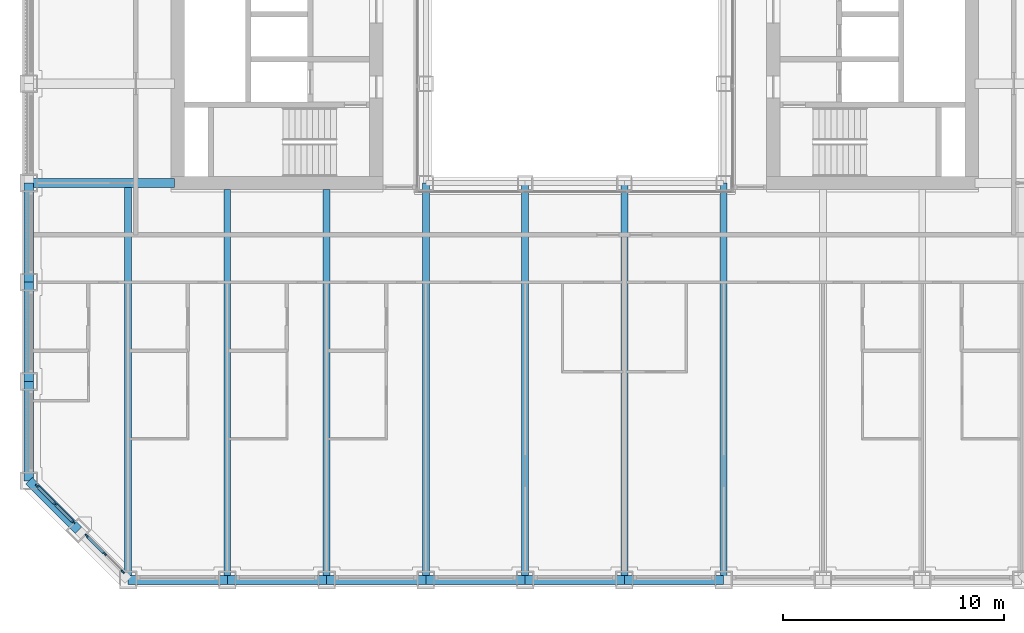
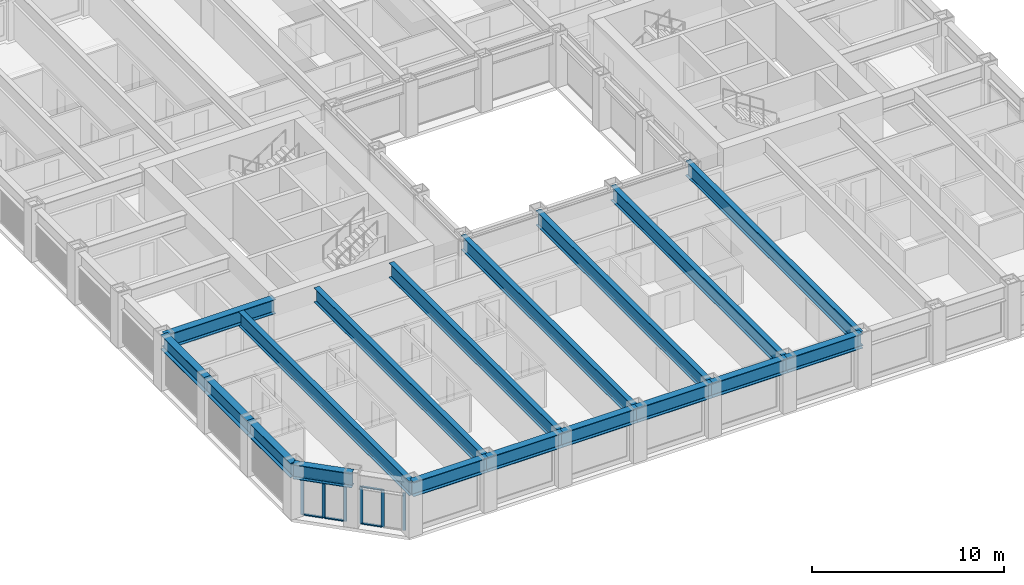
# One storey, part 2 of 21: 18 beams, 12 members, 2 elements without a shape of their own.
"""IFC4 building model written with IfcOpenShell, lengths in metres."""

from ifc_helpers import new_model, si_unit, direction, frame, origin, origin_2d, place, context, subcontext, project, spatial, rectangle, i_section, extrude, material, material_profile, profile_set, type_object, element, aggregate, save


model = new_model("IFC4")

# Units and contexts
model_context = context("Model", 3, precision=1e-05, world=origin(), true_north=direction((0.0, 1.0)))
body_context = subcontext(model_context, "Body", "Model", "MODEL_VIEW")
ifc_project = project(units=[si_unit("LENGTHUNIT", "METRE"), si_unit("AREAUNIT", "SQUARE_METRE"), si_unit("VOLUMEUNIT", "CUBIC_METRE"), si_unit("PLANEANGLEUNIT", "RADIAN"), si_unit("MASSUNIT", "GRAM", prefix="KILO")], contexts=[model_context])

# Site, building, storey
site_placement = place(None, origin())
site = spatial("IfcSite", under=ifc_project, at=site_placement, CompositionType="ELEMENT")
building_placement = place(site_placement, origin())
building = spatial("IfcBuilding", under=site, at=building_placement, Name="Msasa Ring Tower", CompositionType="ELEMENT")
storey_placement = place(building_placement, frame((0.0, 0.0, 79.0)))
storey = spatial("IfcBuildingStorey", under=building, at=storey_placement, Name="L20", CompositionType="ELEMENT", Elevation=79.0)

# Curtain wall, members
ifc_material_1 = material(Name="Aluminium curtain wall with clear glass", Category="aluminium")
curtain_wall_type = type_object("IfcCurtainWallType", Name="CW-C CHAMFER CORNER CURTAIN WALL", PredefinedType="NOTDEFINED", material=ifc_material_1)
curtain_wall_1_placement = place(storey_placement, origin())
curtain_wall_1 = element("IfcCurtainWall", 1, at=curtain_wall_1_placement, inside=storey, type_object=curtain_wall_type, Name="Chamfer corner curtain wall SW L20", PredefinedType="NOTDEFINED")
ifc_material_2 = material(Name="Aluminium mullion", Category="aluminium")
ifc_material_profile_1 = material_profile(ifc_material_2, rectangle(XDim=0.06494140625, YDim=0.179931640625, at=origin_2d()), Name="AL 65x180")
ifc_profile_set_1 = profile_set([ifc_material_profile_1], Name="Aluminium mullion")
member_type_1 = type_object("IfcMemberType", Name="CW-C MULLION 65x180", PredefinedType="MULLION", material=ifc_profile_set_1)
member_1_placement = place(storey_placement, frame((-24.369873046875, -20.48876953125, 0.0), z_axis=(0.0, 0.0, 1.0), x_axis=(0.707106781187, 0.707106781187, 0.0)))
member_1 = element("IfcMember", 2, at=member_1_placement, type_object=member_type_1, Name="CW-C mullion 1", PredefinedType="MULLION", context=body_context, shape_type="SweptSolid", body=[
    extrude(rectangle(XDim=0.06494140625, YDim=0.179931640625, at=origin_2d()), origin(), (0.0, 0.0, 1.0), 2.37890625),
])
member_2_placement = place(storey_placement, frame((-23.55419921875, -21.30419921875, 0.0), z_axis=(0.0, 0.0, 1.0), x_axis=(0.707106781187, 0.707106781187, 0.0)))
member_2 = element("IfcMember", 3, at=member_2_placement, type_object=member_type_1, Name="CW-C mullion 2", PredefinedType="MULLION", context=body_context, shape_type="SweptSolid", body=[
    extrude(rectangle(XDim=0.06494140625, YDim=0.179931640625, at=origin_2d()), origin(), (0.0, 0.0, 1.0), 2.37890625),
])
member_3_placement = place(storey_placement, frame((-22.73876953125, -22.119873046875, 0.0), z_axis=(0.0, 0.0, 1.0), x_axis=(0.707106781187, 0.707106781187, 0.0)))
member_3 = element("IfcMember", 4, at=member_3_placement, type_object=member_type_1, Name="CW-C mullion 3", PredefinedType="MULLION", context=body_context, shape_type="SweptSolid", body=[
    extrude(rectangle(XDim=0.06494140625, YDim=0.179931640625, at=origin_2d()), origin(), (0.0, 0.0, 1.0), 2.37890625),
])

curtain_wall_2_placement = place(storey_placement, origin())
curtain_wall_2 = element("IfcCurtainWall", 5, at=curtain_wall_2_placement, inside=storey, type_object=curtain_wall_type, Name="Chamfer corner curtain wall SW L20", PredefinedType="NOTDEFINED")
member_4_placement = place(storey_placement, frame((-22.119873046875, -22.73876953125, 0.0), z_axis=(0.0, 0.0, 1.0), x_axis=(0.707106781187, 0.707106781187, 0.0)))
member_4 = element("IfcMember", 6, at=member_4_placement, type_object=member_type_1, Name="CW-C mullion 1", PredefinedType="MULLION", context=body_context, shape_type="SweptSolid", body=[
    extrude(rectangle(XDim=0.06494140625, YDim=0.179931640625, at=origin_2d()), origin(), (0.0, 0.0, 1.0), 2.37890625),
])
member_5_placement = place(storey_placement, frame((-21.30419921875, -23.55419921875, 0.0), z_axis=(0.0, 0.0, 1.0), x_axis=(0.707106781187, 0.707106781187, 0.0)))
member_5 = element("IfcMember", 7, at=member_5_placement, type_object=member_type_1, Name="CW-C mullion 2", PredefinedType="MULLION", context=body_context, shape_type="SweptSolid", body=[
    extrude(rectangle(XDim=0.06494140625, YDim=0.179931640625, at=origin_2d()), origin(), (0.0, 0.0, 1.0), 2.37890625),
])
member_6_placement = place(storey_placement, frame((-20.48876953125, -24.369873046875, 0.0), z_axis=(0.0, 0.0, 1.0), x_axis=(0.707106781187, 0.707106781187, 0.0)))
member_6 = element("IfcMember", 8, at=member_6_placement, type_object=member_type_1, Name="CW-C mullion 3", PredefinedType="MULLION", context=body_context, shape_type="SweptSolid", body=[
    extrude(rectangle(XDim=0.06494140625, YDim=0.179931640625, at=origin_2d()), origin(), (0.0, 0.0, 1.0), 2.37890625),
])

# Member
ifc_material_3 = material(Name="Aluminium transom", Category="aluminium")
ifc_material_profile_2 = material_profile(ifc_material_3, rectangle(XDim=0.139892578125, YDim=0.06494140625, at=origin_2d()), Name="AL 65x140")
ifc_profile_set_2 = profile_set([ifc_material_profile_2], Name="Aluminium transom")
member_type_2 = type_object("IfcMemberType", Name="CW-C TRANSOM 65x140", PredefinedType="USERDEFINED", material=ifc_profile_set_2)
member_7_placement = place(storey_placement, frame((-24.346923828125, -20.51171875, 0.032470703125), z_axis=(0.707106781187, -0.707106781187, 0.0), x_axis=(0.707106781187, 0.707106781187, 0.0)))
member_7 = element("IfcMember", 9, at=member_7_placement, type_object=member_type_2, Name="CW-C transom 1.1", ObjectType="TRANSOM", PredefinedType="USERDEFINED", context=body_context, shape_type="SweptSolid", body=[
    extrude(rectangle(XDim=0.139892578125, YDim=0.06494140625, at=origin_2d()), origin(), (0.0, 0.0, 1.0), 1.08837890625),
])

member_8_placement = place(storey_placement, frame((-24.346923828125, -20.51171875, 2.346435546875), z_axis=(0.707106781187, -0.707106781187, 0.0), x_axis=(0.707106781187, 0.707106781187, 0.0)))
member_8 = element("IfcMember", 10, at=member_8_placement, type_object=member_type_2, Name="CW-C transom 1.2", ObjectType="TRANSOM", PredefinedType="USERDEFINED", context=body_context, shape_type="SweptSolid", body=[
    extrude(rectangle(XDim=0.139892578125, YDim=0.06494140625, at=origin_2d()), origin(), (0.0, 0.0, 1.0), 1.08837890625),
])

member_9_placement = place(storey_placement, frame((-23.53125, -21.327392578125, 0.032470703125), z_axis=(0.707106781187, -0.707106781187, 0.0), x_axis=(0.707106781187, 0.707106781187, 0.0)))
member_9 = element("IfcMember", 11, at=member_9_placement, type_object=member_type_2, Name="CW-C transom 2.1", ObjectType="TRANSOM", PredefinedType="USERDEFINED", context=body_context, shape_type="SweptSolid", body=[
    extrude(rectangle(XDim=0.139892578125, YDim=0.06494140625, at=origin_2d()), origin(), (0.0, 0.0, 1.0), 1.08837890625),
])

member_10_placement = place(storey_placement, frame((-23.53125, -21.327392578125, 2.346435546875), z_axis=(0.707106781187, -0.707106781187, 0.0), x_axis=(0.707106781187, 0.707106781187, 0.0)))
member_10 = element("IfcMember", 12, at=member_10_placement, type_object=member_type_2, Name="CW-C transom 2.2", ObjectType="TRANSOM", PredefinedType="USERDEFINED", context=body_context, shape_type="SweptSolid", body=[
    extrude(rectangle(XDim=0.139892578125, YDim=0.06494140625, at=origin_2d()), origin(), (0.0, 0.0, 1.0), 1.08837890625),
])

aggregate(curtain_wall_1, [member_1, member_2, member_3, member_7, member_8, member_9, member_10])

member_11_placement = place(storey_placement, frame((-22.096923828125, -22.76171875, 0.032470703125), z_axis=(0.707106781187, -0.707106781187, 0.0), x_axis=(0.707106781187, 0.707106781187, 0.0)))
member_11 = element("IfcMember", 13, at=member_11_placement, type_object=member_type_2, Name="CW-C transom 1.1", ObjectType="TRANSOM", PredefinedType="USERDEFINED", context=body_context, shape_type="SweptSolid", body=[
    extrude(rectangle(XDim=0.139892578125, YDim=0.06494140625, at=origin_2d()), origin(), (0.0, 0.0, 1.0), 1.08837890625),
])

member_12_placement = place(storey_placement, frame((-22.096923828125, -22.76171875, 2.346435546875), z_axis=(0.707106781187, -0.707106781187, 0.0), x_axis=(0.707106781187, 0.707106781187, 0.0)))
member_12 = element("IfcMember", 14, at=member_12_placement, type_object=member_type_2, Name="CW-C transom 1.2", ObjectType="TRANSOM", PredefinedType="USERDEFINED", context=body_context, shape_type="SweptSolid", body=[
    extrude(rectangle(XDim=0.139892578125, YDim=0.06494140625, at=origin_2d()), origin(), (0.0, 0.0, 1.0), 1.08837890625),
])

aggregate(curtain_wall_2, [member_4, member_5, member_6, member_11, member_12])

# Beams
ifc_material_4 = material(Name="Steel S355", Category="steel")
ifc_material_profile_3 = material_profile(ifc_material_4, i_section(OverallWidth=0.3076171875, OverallDepth=0.926513671875, WebThickness=0.01953125, FlangeThickness=0.031982421875, FilletRadius=0.01904296875, at=origin_2d()), Name="UB 914x305x289")
ifc_profile_set_3 = profile_set([ifc_material_profile_3], Name="Steel S355")
beam_type_1 = type_object("IfcBeamType", Name="FB3 UB 914x305x289", PredefinedType="BEAM", material=ifc_profile_set_3)
beam_1_placement = place(storey_placement, frame((-20.25, -24.75, 2.836669921875), z_axis=(0.0, 1.0, 0.0), x_axis=(-1.0, 0.0, 0.0)))
element("IfcBeam", 15, at=beam_1_placement, inside=storey, type_object=beam_type_1, Name="Floor beam S-20.25 under L21", PredefinedType="BEAM", context=body_context, shape_type="SweptSolid", body=[
    extrude(i_section(OverallWidth=0.3076171875, OverallDepth=0.926513671875, WebThickness=0.01953125, FlangeThickness=0.031982421875, FilletRadius=0.01904296875, at=origin_2d()), origin(), (0.0, 0.0, 1.0), 17.789794921875),
])
for number, where, z_axis, x_axis, name in (
    (16, (-15.75, -24.75, 2.836669921875), (0.0, 1.0, 0.0), (-1.0, 0.0, 0.0), "Floor beam S-15.75 under L21"),
    (17, (-11.25, -24.75, 2.836669921875), (0.0, 1.0, 0.0), (-1.0, 0.0, 0.0), "Floor beam S-11.25 under L21"),
):
    element("IfcBeam", number, at=place(storey_placement, frame(where, z_axis=z_axis, x_axis=x_axis)), inside=storey, type_object=beam_type_1, Name=name, PredefinedType="BEAM", context=body_context, shape_type="SweptSolid", body=[
        extrude(i_section(OverallWidth=0.3076171875, OverallDepth=0.926513671875, WebThickness=0.01953125, FlangeThickness=0.031982421875, FilletRadius=0.01904296875, at=origin_2d()), origin(), (0.0, 0.0, 1.0), 17.699951171875),
    ])
for number, where, z_axis, x_axis, name in (
    (18, (-6.75, -24.75, 2.836669921875), (0.0, 1.0, 0.0), (-1.0, 0.0, 0.0), "Floor beam S-6.75 under L21"),
    (19, (-2.25, -24.75, 2.836669921875), (0.0, 1.0, 0.0), (-1.0, 0.0, 0.0), "Floor beam S-2.25 under L21"),
    (20, (2.25, -24.75, 2.836669921875), (0.0, 1.0, 0.0), (-1.0, 0.0, 0.0), "Floor beam S+2.25 under L21"),
    (21, (6.75, -24.75, 2.836669921875), (0.0, 1.0, 0.0), (-1.0, 0.0, 0.0), "Floor beam S+6.75 under L21"),
):
    element("IfcBeam", number, at=place(storey_placement, frame(where, z_axis=z_axis, x_axis=x_axis)), inside=storey, type_object=beam_type_1, Name=name, PredefinedType="BEAM", context=body_context, shape_type="SweptSolid", body=[
        extrude(i_section(OverallWidth=0.3076171875, OverallDepth=0.926513671875, WebThickness=0.01953125, FlangeThickness=0.031982421875, FilletRadius=0.01904296875, at=origin_2d()), origin(), (0.0, 0.0, 1.0), 18.0),
    ])
ifc_material_5 = material(Name="Steel S355", Category="steel")
ifc_material_profile_4 = material_profile(ifc_material_5, i_section(OverallWidth=0.42041015625, OverallDepth=0.9208984375, WebThickness=0.021484375, FlangeThickness=0.03662109375, FilletRadius=0.024169921875, at=origin_2d()), Name="UB 914x419x388")
ifc_profile_set_4 = profile_set([ifc_material_profile_4], Name="Steel S355")
beam_type_2 = type_object("IfcBeamType", Name="GB1 UB 914x419x388", PredefinedType="BEAM", material=ifc_profile_set_4)
beam_2_placement = place(storey_placement, frame((-18.14990234375, -6.75, 2.839599609375), z_axis=(-1.0, 0.0, 0.0), x_axis=(0.0, -1.0, 0.0)))
element("IfcBeam", 22, at=beam_2_placement, inside=storey, type_object=beam_type_2, Name="Girder W -6.75 under L21", PredefinedType="BEAM", context=body_context, shape_type="SweptSolid", body=[
    extrude(i_section(OverallWidth=0.42041015625, OverallDepth=0.9208984375, WebThickness=0.021484375, FlangeThickness=0.03662109375, FilletRadius=0.024169921875, at=origin_2d()), origin(), (0.0, 0.0, 1.0), 6.60009765625),
])
ifc_material_6 = material(Name="Steel S355", Category="steel")
ifc_material_profile_5 = material_profile(ifc_material_6, i_section(OverallWidth=0.42041015625, OverallDepth=0.9208984375, WebThickness=0.021484375, FlangeThickness=0.03662109375, FilletRadius=0.024169921875, at=origin_2d()), Name="UB 914x419x388")
ifc_profile_set_5 = profile_set([ifc_material_profile_5], Name="Steel S355")
beam_type_3 = type_object("IfcBeamType", Name="SB1 UB 914x419x388", PredefinedType="SPANDREL", material=ifc_profile_set_5)
for number, where, z_axis, x_axis, name in (
    (23, (-24.75, -6.75, 2.839599609375), (0.0, -1.0, 0.0), (1.0, 0.0, 0.0), "Spandrel W-6.75 to W-11.25 under L21"),
    (24, (-24.75, -11.25, 2.839599609375), (0.0, -1.0, 0.0), (1.0, 0.0, 0.0), "Spandrel W-11.25 to W-15.75 under L21"),
    (25, (-24.75, -15.75, 2.839599609375), (0.0, -1.0, 0.0), (1.0, 0.0, 0.0), "Spandrel W-15.75 to W-20.25 under L21"),
):
    element("IfcBeam", number, at=place(storey_placement, frame(where, z_axis=z_axis, x_axis=x_axis)), inside=storey, type_object=beam_type_3, Name=name, PredefinedType="SPANDREL", context=body_context, shape_type="SweptSolid", body=[
        extrude(i_section(OverallWidth=0.42041015625, OverallDepth=0.9208984375, WebThickness=0.021484375, FlangeThickness=0.03662109375, FilletRadius=0.024169921875, at=origin_2d()), origin(), (0.0, 0.0, 1.0), 4.5),
    ])
beam_3_placement = place(storey_placement, frame((-24.75, -20.25, 2.839599609375), z_axis=(0.707106781187, -0.707106781187, 0.0), x_axis=(0.707106781187, 0.707106781187, 0.0)))
element("IfcBeam", 26, at=beam_3_placement, inside=storey, type_object=beam_type_3, Name="Spandrel W-20.25 to SW under L21", PredefinedType="SPANDREL", context=body_context, shape_type="SweptSolid", body=[
    extrude(i_section(OverallWidth=0.42041015625, OverallDepth=0.9208984375, WebThickness=0.021484375, FlangeThickness=0.03662109375, FilletRadius=0.024169921875, at=origin_2d()), origin(), (0.0, 0.0, 1.0), 3.181884765625),
])
for number, where, z_axis, x_axis, name in (
    (27, (-20.25, -24.75, 2.839599609375), (1.0, 0.0, 0.0), (0.0, 1.0, 0.0), "Spandrel S-20.25 to S-15.75 under L21"),
    (28, (-15.75, -24.75, 2.839599609375), (1.0, 0.0, 0.0), (0.0, 1.0, 0.0), "Spandrel S-15.75 to S-11.25 under L21"),
    (29, (-11.25, -24.75, 2.839599609375), (1.0, 0.0, 0.0), (0.0, 1.0, 0.0), "Spandrel S-11.25 to S-6.75 under L21"),
    (30, (-6.75, -24.75, 2.839599609375), (1.0, 0.0, 0.0), (0.0, 1.0, 0.0), "Spandrel S-6.75 to S-2.25 under L21"),
    (31, (-2.25, -24.75, 2.839599609375), (1.0, 0.0, 0.0), (0.0, 1.0, 0.0), "Spandrel S-2.25 to S+2.25 under L21"),
    (32, (2.25, -24.75, 2.839599609375), (1.0, 0.0, 0.0), (0.0, 1.0, 0.0), "Spandrel S+2.25 to S+6.75 under L21"),
):
    element("IfcBeam", number, at=place(storey_placement, frame(where, z_axis=z_axis, x_axis=x_axis)), inside=storey, type_object=beam_type_3, Name=name, PredefinedType="SPANDREL", context=body_context, shape_type="SweptSolid", body=[
        extrude(i_section(OverallWidth=0.42041015625, OverallDepth=0.9208984375, WebThickness=0.021484375, FlangeThickness=0.03662109375, FilletRadius=0.024169921875, at=origin_2d()), origin(), (0.0, 0.0, 1.0), 4.5),
    ])

save(model, "model.ifc")
